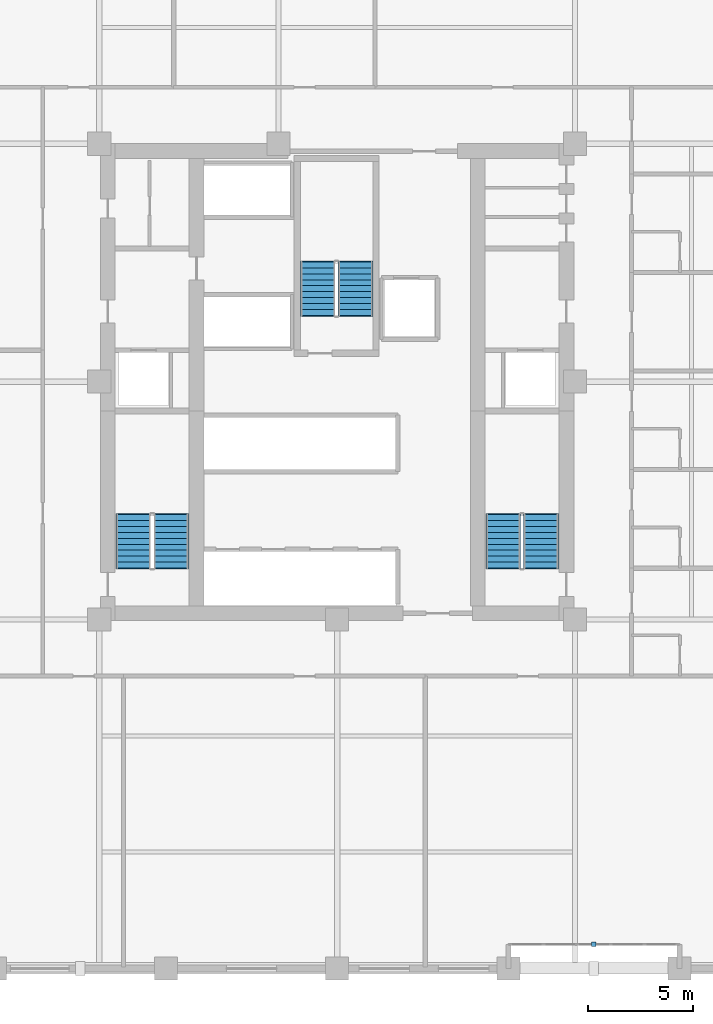
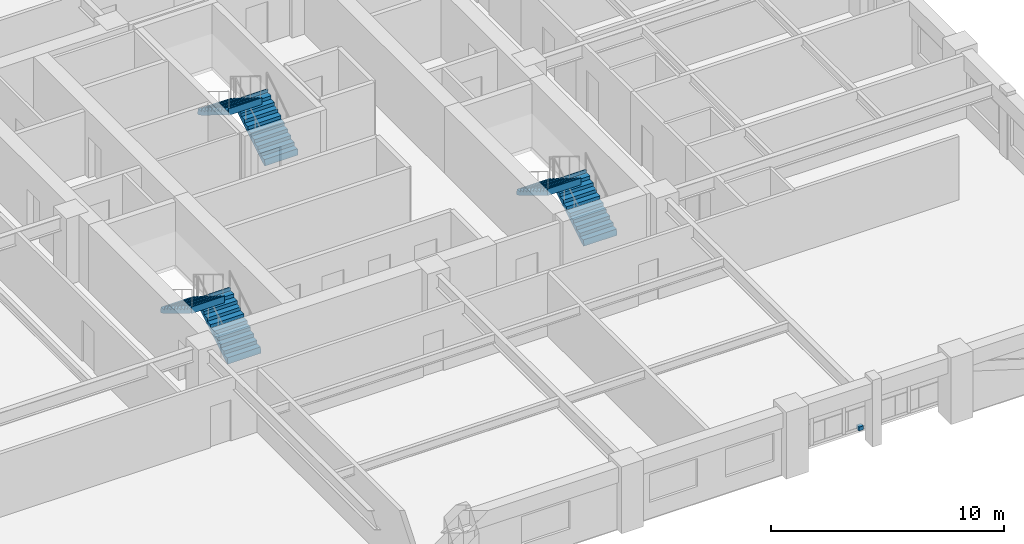
# One storey, part 9 of 11: 6 stair flights, 1 discrete accessory, 3 elements without a shape of their own.
"""IFC4 building model written with IfcOpenShell, lengths in metres."""

from ifc_helpers import new_model, si_unit, direction, frame, origin, origin_2d, place, context, subcontext, project, spatial, polyline, rectangle, outline, extrude, material, type_object, element, aggregate, save


model = new_model("IFC4")

# Units and contexts
model_context = context("Model", 3, precision=1e-05, world=origin(), true_north=direction((0.0, 1.0)))
body_context = subcontext(model_context, "Body", "Model", "MODEL_VIEW")
ifc_project = project(units=[si_unit("LENGTHUNIT", "METRE"), si_unit("AREAUNIT", "SQUARE_METRE"), si_unit("VOLUMEUNIT", "CUBIC_METRE"), si_unit("PLANEANGLEUNIT", "RADIAN"), si_unit("MASSUNIT", "GRAM", prefix="KILO")], contexts=[model_context])

# Site, building, storey
site_placement = place(None, origin())
site = spatial("IfcSite", under=ifc_project, at=site_placement, CompositionType="ELEMENT")
building_placement = place(site_placement, origin())
building = spatial("IfcBuilding", under=site, at=building_placement, Name="Nhamokura Convention Tower", CompositionType="ELEMENT")
storey_placement = place(building_placement, frame((0.0, 0.0, 70.35009765625)))
storey = spatial("IfcBuildingStorey", under=building, at=storey_placement, Name="L16", CompositionType="ELEMENT", Elevation=70.35009765625)

# Stair, stair flights
ifc_material_1 = material(Name="Concrete C40/50", Category="concrete")
stair_type = type_object("IfcStairType", Name="TowerCoreStair_1650", PredefinedType="HALF_TURN_STAIR", material=ifc_material_1)
stair_1_placement = place(storey_placement, origin())
stair_1 = element("IfcStair", 1, at=stair_1_placement, inside=storey, type_object=stair_type, Name="L16 West Core Smokeproof Stair ST-01", PredefinedType="HALF_TURN_STAIR")
ifc_material_2 = material(Name="Concrete C40/50", Category="concrete")
stair_flight_type = type_object("IfcStairFlightType", Name="TowerCoreStair_1650_Flight", PredefinedType="STRAIGHT", material=ifc_material_2)
stair_flight_1_placement = place(storey_placement, frame((24.074951171875, 23.10009765625, 0.0), z_axis=(0.0, 0.0, 1.0), x_axis=(0.0, 1.0, 0.0)))
stair_flight_1 = element("IfcStairFlight", 2, at=stair_flight_1_placement, type_object=stair_flight_type, Name="ST-01 flight 1", NumberOfRisers=10, NumberOfTreads=9, PredefinedType="STRAIGHT", RiserHeight=0.175, TreadLength=0.285, context=body_context, shape_type="SweptSolid", body=[
    extrude(outline(polyline([(-0.0419921875, 0.0), (0.0, 0.175048828125), (0.284912109375, 0.175048828125), (0.284912109375, 0.35009765625), (0.570068359375, 0.35009765625), (0.570068359375, 0.52490234375), (0.85498046875, 0.52490234375), (0.85498046875, 0.699951171875), (1.139892578125, 0.699951171875), (1.139892578125, 0.875), (1.425048828125, 0.875), (1.425048828125, 1.050048828125), (1.7099609375, 1.050048828125), (1.7099609375, 1.22509765625), (1.9951171875, 1.22509765625), (1.9951171875, 1.39990234375), (2.280029296875, 1.39990234375), (2.280029296875, 1.574951171875), (2.56494140625, 1.574951171875), (2.56494140625, 1.75), (2.60693359375, 1.75), (2.60693359375, 1.399169921875), (2.56494140625, 1.399169921875), (0.286376953125, 0.0), (0.02001953125, -0.1298828125), (-0.0419921875, -0.1298828125), (-0.0419921875, 0.0)])), frame((0.0, 0.824951171875, 0.0), z_axis=(0.0, -1.0, 0.0), x_axis=(1.0, 0.0, 0.0)), (0.0, 0.0, 1.0), 1.64990234375),
])
stair_flight_2_placement = place(storey_placement, frame((22.27490234375, 25.6650390625, 1.75), z_axis=(0.0, 0.0, 1.0), x_axis=(0.0, -1.0, 0.0)))
stair_flight_2 = element("IfcStairFlight", 3, at=stair_flight_2_placement, type_object=stair_flight_type, Name="ST-01 flight 2", NumberOfRisers=10, NumberOfTreads=9, PredefinedType="STRAIGHT", RiserHeight=0.175, TreadLength=0.285, context=body_context, shape_type="SweptSolid", body=[
    extrude(outline(polyline([(-0.0419921875, 0.0), (0.0, 0.175048828125), (0.284912109375, 0.175048828125), (0.284912109375, 0.35009765625), (0.570068359375, 0.35009765625), (0.570068359375, 0.52490234375), (0.85498046875, 0.52490234375), (0.85498046875, 0.699951171875), (1.139892578125, 0.699951171875), (1.139892578125, 0.875), (1.425048828125, 0.875), (1.425048828125, 1.050048828125), (1.7099609375, 1.050048828125), (1.7099609375, 1.22509765625), (1.9951171875, 1.22509765625), (1.9951171875, 1.39990234375), (2.280029296875, 1.39990234375), (2.280029296875, 1.574951171875), (2.56494140625, 1.574951171875), (2.56494140625, 1.75), (2.60693359375, 1.75), (2.60693359375, 1.399169921875), (2.56494140625, 1.399169921875), (0.286376953125, 0.0), (0.02001953125, -0.1298828125), (-0.0419921875, -0.1298828125), (-0.0419921875, 0.0)])), frame((0.0, 0.824951171875, 0.0), z_axis=(0.0, -1.0, 0.0), x_axis=(1.0, 0.0, 0.0)), (0.0, 0.0, 1.0), 1.64990234375),
])
aggregate(stair_1, [stair_flight_1, stair_flight_2])

stair_2_placement = place(storey_placement, origin())
stair_2 = element("IfcStair", 4, at=stair_2_placement, inside=storey, type_object=stair_type, Name="L16 East Core Smokeproof Stair ST-02", PredefinedType="HALF_TURN_STAIR")
stair_flight_3_placement = place(storey_placement, frame((41.72509765625, 23.10009765625, 0.0), z_axis=(0.0, 0.0, 1.0), x_axis=(0.0, 1.0, 0.0)))
stair_flight_3 = element("IfcStairFlight", 5, at=stair_flight_3_placement, type_object=stair_flight_type, Name="ST-02 flight 1", NumberOfRisers=10, NumberOfTreads=9, PredefinedType="STRAIGHT", RiserHeight=0.175, TreadLength=0.285, context=body_context, shape_type="SweptSolid", body=[
    extrude(outline(polyline([(-0.0419921875, 0.0), (0.0, 0.175048828125), (0.284912109375, 0.175048828125), (0.284912109375, 0.35009765625), (0.570068359375, 0.35009765625), (0.570068359375, 0.52490234375), (0.85498046875, 0.52490234375), (0.85498046875, 0.699951171875), (1.139892578125, 0.699951171875), (1.139892578125, 0.875), (1.425048828125, 0.875), (1.425048828125, 1.050048828125), (1.7099609375, 1.050048828125), (1.7099609375, 1.22509765625), (1.9951171875, 1.22509765625), (1.9951171875, 1.39990234375), (2.280029296875, 1.39990234375), (2.280029296875, 1.574951171875), (2.56494140625, 1.574951171875), (2.56494140625, 1.75), (2.60693359375, 1.75), (2.60693359375, 1.399169921875), (2.56494140625, 1.399169921875), (0.286376953125, 0.0), (0.02001953125, -0.1298828125), (-0.0419921875, -0.1298828125), (-0.0419921875, 0.0)])), frame((0.0, 0.824951171875, 0.0), z_axis=(0.0, -1.0, 0.0), x_axis=(1.0, 0.0, 0.0)), (0.0, 0.0, 1.0), 1.64990234375),
])
stair_flight_4_placement = place(storey_placement, frame((39.925048828125, 25.6650390625, 1.75), z_axis=(0.0, 0.0, 1.0), x_axis=(0.0, -1.0, 0.0)))
stair_flight_4 = element("IfcStairFlight", 6, at=stair_flight_4_placement, type_object=stair_flight_type, Name="ST-02 flight 2", NumberOfRisers=10, NumberOfTreads=9, PredefinedType="STRAIGHT", RiserHeight=0.175, TreadLength=0.285, context=body_context, shape_type="SweptSolid", body=[
    extrude(outline(polyline([(-0.0419921875, 0.0), (0.0, 0.175048828125), (0.284912109375, 0.175048828125), (0.284912109375, 0.35009765625), (0.570068359375, 0.35009765625), (0.570068359375, 0.52490234375), (0.85498046875, 0.52490234375), (0.85498046875, 0.699951171875), (1.139892578125, 0.699951171875), (1.139892578125, 0.875), (1.425048828125, 0.875), (1.425048828125, 1.050048828125), (1.7099609375, 1.050048828125), (1.7099609375, 1.22509765625), (1.9951171875, 1.22509765625), (1.9951171875, 1.39990234375), (2.280029296875, 1.39990234375), (2.280029296875, 1.574951171875), (2.56494140625, 1.574951171875), (2.56494140625, 1.75), (2.60693359375, 1.75), (2.60693359375, 1.399169921875), (2.56494140625, 1.399169921875), (0.286376953125, 0.0), (0.02001953125, -0.1298828125), (-0.0419921875, -0.1298828125), (-0.0419921875, 0.0)])), frame((0.0, 0.824951171875, 0.0), z_axis=(0.0, -1.0, 0.0), x_axis=(1.0, 0.0, 0.0)), (0.0, 0.0, 1.0), 1.64990234375),
])
aggregate(stair_2, [stair_flight_3, stair_flight_4])

stair_3_placement = place(storey_placement, origin())
stair_3 = element("IfcStair", 7, at=stair_3_placement, inside=storey, type_object=stair_type, Name="L16 North Core Smokeproof Stair ST-03", PredefinedType="HALF_TURN_STAIR")
stair_flight_5_placement = place(storey_placement, frame((32.875, 35.14990234375, 0.0), z_axis=(0.0, 0.0, 1.0), x_axis=(0.0, 1.0, 0.0)))
stair_flight_5 = element("IfcStairFlight", 8, at=stair_flight_5_placement, type_object=stair_flight_type, Name="ST-03 flight 1", NumberOfRisers=10, NumberOfTreads=9, PredefinedType="STRAIGHT", RiserHeight=0.175, TreadLength=0.285, context=body_context, shape_type="SweptSolid", body=[
    extrude(outline(polyline([(-0.0419921875, 0.0), (0.0, 0.175048828125), (0.284912109375, 0.175048828125), (0.284912109375, 0.35009765625), (0.570068359375, 0.35009765625), (0.570068359375, 0.52490234375), (0.85498046875, 0.52490234375), (0.85498046875, 0.699951171875), (1.139892578125, 0.699951171875), (1.139892578125, 0.875), (1.425048828125, 0.875), (1.425048828125, 1.050048828125), (1.7099609375, 1.050048828125), (1.7099609375, 1.22509765625), (1.9951171875, 1.22509765625), (1.9951171875, 1.39990234375), (2.280029296875, 1.39990234375), (2.280029296875, 1.574951171875), (2.56494140625, 1.574951171875), (2.56494140625, 1.75), (2.60693359375, 1.75), (2.60693359375, 1.399169921875), (2.56494140625, 1.399169921875), (0.286376953125, 0.0), (0.02001953125, -0.1298828125), (-0.0419921875, -0.1298828125), (-0.0419921875, 0.0)])), frame((0.0, 0.824951171875, 0.0), z_axis=(0.0, -1.0, 0.0), x_axis=(1.0, 0.0, 0.0)), (0.0, 0.0, 1.0), 1.64990234375),
])
stair_flight_6_placement = place(storey_placement, frame((31.074951171875, 37.715087890625, 1.75), z_axis=(0.0, 0.0, 1.0), x_axis=(0.0, -1.0, 0.0)))
stair_flight_6 = element("IfcStairFlight", 9, at=stair_flight_6_placement, type_object=stair_flight_type, Name="ST-03 flight 2", NumberOfRisers=10, NumberOfTreads=9, PredefinedType="STRAIGHT", RiserHeight=0.175, TreadLength=0.285, context=body_context, shape_type="SweptSolid", body=[
    extrude(outline(polyline([(-0.0419921875, 0.0), (0.0, 0.175048828125), (0.284912109375, 0.175048828125), (0.284912109375, 0.35009765625), (0.570068359375, 0.35009765625), (0.570068359375, 0.52490234375), (0.85498046875, 0.52490234375), (0.85498046875, 0.699951171875), (1.139892578125, 0.699951171875), (1.139892578125, 0.875), (1.425048828125, 0.875), (1.425048828125, 1.050048828125), (1.7099609375, 1.050048828125), (1.7099609375, 1.22509765625), (1.9951171875, 1.22509765625), (1.9951171875, 1.39990234375), (2.280029296875, 1.39990234375), (2.280029296875, 1.574951171875), (2.56494140625, 1.574951171875), (2.56494140625, 1.75), (2.60693359375, 1.75), (2.60693359375, 1.399169921875), (2.56494140625, 1.399169921875), (0.286376953125, 0.0), (0.02001953125, -0.1298828125), (-0.0419921875, -0.1298828125), (-0.0419921875, 0.0)])), frame((0.0, 0.824951171875, 0.0), z_axis=(0.0, -1.0, 0.0), x_axis=(1.0, 0.0, 0.0)), (0.0, 0.0, 1.0), 1.64990234375),
])
aggregate(stair_3, [stair_flight_5, stair_flight_6])

# Discrete accessory
ifc_material_3 = material(Name="Steel ASTM A572 Gr 50", Category="steel")
discrete_accessory_type = type_object("IfcDiscreteAccessoryType", Name="FacadeOutstandBracket", PredefinedType="BRACKET", material=ifc_material_3)
discrete_accessory_placement = place(storey_placement, frame((44.25, 5.14990234375, -0.02001953125), z_axis=(0.0, 0.0, 1.0), x_axis=(1.0, 0.0, 0.0)))
element("IfcDiscreteAccessory", 10, at=discrete_accessory_placement, inside=storey, type_object=discrete_accessory_type, Name="L16 Scale Slot Base Shoe Bracket SOUTH 4", PredefinedType="BRACKET", context=body_context, shape_type="SweptSolid", body=[
    extrude(rectangle(XDim=0.219970703125, YDim=0.219970703125, at=origin_2d()), origin(), (0.0, 0.0, 1.0), 0.199951171875),
])

save(model, "model.ifc")
